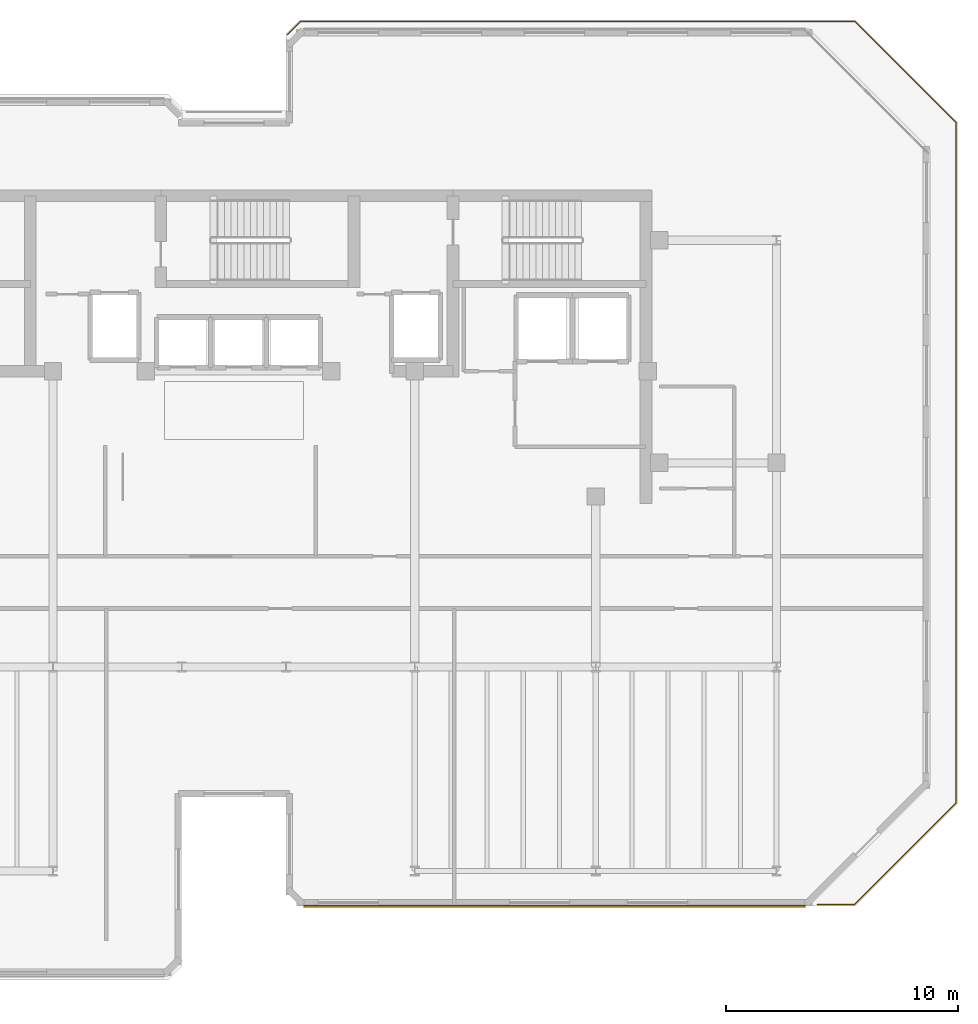
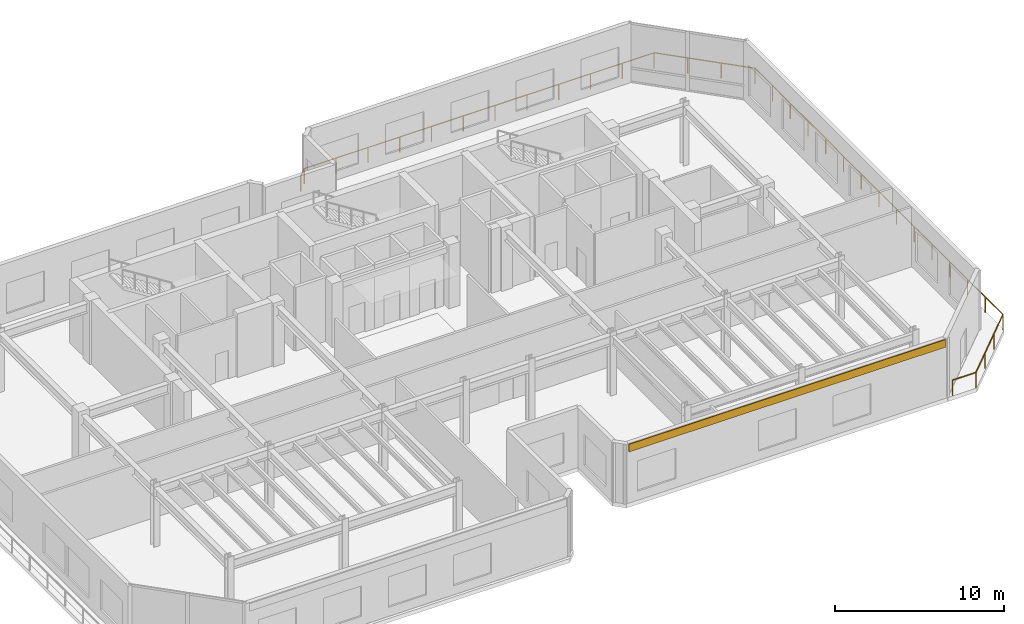
# One storey, part 12 of 14: 1 covering, 1 railing.
"""IFC4 building model written with IfcOpenShell, lengths in metres."""

from ifc_helpers import new_model, si_unit, direction, frame, origin, origin_2d, place, context, subcontext, project, spatial, rectangle, circle, extrude, material, layer, layer_set, type_object, element, save


model = new_model("IFC4")

# Units and contexts
model_context = context("Model", 3, precision=1e-05, world=origin(), true_north=direction((0.0, 1.0)))
body_context = subcontext(model_context, "Body", "Model", "MODEL_VIEW")
ifc_project = project(units=[si_unit("LENGTHUNIT", "METRE"), si_unit("AREAUNIT", "SQUARE_METRE"), si_unit("VOLUMEUNIT", "CUBIC_METRE"), si_unit("PLANEANGLEUNIT", "RADIAN"), si_unit("MASSUNIT", "GRAM", prefix="KILO")], contexts=[model_context])

# Site, building, storey
site_placement = place(None, origin())
site = spatial("IfcSite", under=ifc_project, at=site_placement, CompositionType="ELEMENT")
building_placement = place(site_placement, origin())
building = spatial("IfcBuilding", under=site, at=building_placement, Name="Kestravale Grand Hotel", CompositionType="ELEMENT")
storey_placement = place(building_placement, frame((0.0, 0.0, 297.39990234375)))
storey = spatial("IfcBuildingStorey", under=building, at=storey_placement, Name="L74", CompositionType="ELEMENT", Elevation=297.39990234375)

# Covering
ifc_material_1 = material(Name="Warm limestone-toned fluted architectural precast cladding", Category="masonry")
ifc_layer = layer(ifc_material_1, 0.074951171875)
ifc_layer_set = layer_set([ifc_layer], Name="COV-CLAD-LIM")
covering_type = type_object("IfcCoveringType", Name="COV-CLAD-LIM", PredefinedType="CLADDING", material=ifc_layer_set)
covering_placement = place(storey_placement, frame((52.824951171875, 9.68505859375, 3.73486328125), z_axis=(0.0, 0.0, 1.0), x_axis=(1.0, 0.0, 0.0)))
element("IfcCovering", 1, at=covering_placement, inside=storey, type_object=covering_type, Name="L74 fluted limestone spandrel cladding 7", PredefinedType="CLADDING", context=body_context, shape_type="SweptSolid", body=[
    extrude(rectangle(XDim=21.6298828125, YDim=0.074951171875, at=origin_2d()), origin(), (0.0, 0.0, 1.0), 0.550048828125),
])

# Railing
ifc_material_2 = material(Name="Champagne-bronze stainless steel and laminated glass guard", Category="steel")
railing_type = type_object("IfcRailingType", Name="RL-EXT-1100", PredefinedType="GUARDRAIL", material=ifc_material_2)
railing_placement = place(storey_placement, frame((41.31005859375, 47.275146484375, 0.0)))
element("IfcRailing", 2, at=railing_placement, inside=storey, type_object=railing_type, Name="L74 outdoor terrace guard 1", PredefinedType="GUARDRAIL", context=body_context, shape_type="SweptSolid", body=[
    extrude(circle(Radius=0.02392578125, at=origin_2d()), frame((0.0, 0.0, 1.09619140625), z_axis=(0.707106781187, 0.707106781187, 0.0), x_axis=(-0.707106781187, 0.707106781187, 0.0)), (0.0, 0.0, 1.0), 0.798828125),
    extrude(circle(Radius=0.02392578125, at=origin_2d()), frame((0.56494140625, 0.56494140625, 1.09619140625), z_axis=(1.0, 0.0, 0.0), x_axis=(0.0, 1.0, 0.0)), (0.0, 0.0, 1.0), 23.900146484375),
    extrude(circle(Radius=0.02392578125, at=origin_2d()), frame((24.465087890625, 0.56494140625, 1.09619140625), z_axis=(0.707087005571, -0.707126556249, 0.0), x_axis=(0.707126556249, 0.707087005571, 0.0)), (0.0, 0.0, 1.0), 6.1728515625),
    extrude(circle(Radius=0.02392578125, at=origin_2d()), frame((28.829833984375, -3.800048828125, 1.09619140625), z_axis=(0.0, -1.0, 0.0), x_axis=(1.0, 0.0, 0.0)), (0.0, 0.0, 1.0), 29.35009765625),
    extrude(circle(Radius=0.02392578125, at=origin_2d()), frame((28.829833984375, -33.150146484375, 1.09619140625), z_axis=(-0.707087005571, -0.707126556249, 0.0), x_axis=(0.707126556249, -0.707087005571, 0.0)), (0.0, 0.0, 1.0), 6.1728515625),
    extrude(circle(Radius=0.02392578125, at=origin_2d()), frame((24.465087890625, -37.51513671875, 1.09619140625), z_axis=(-1.0, 0.0, 0.0), x_axis=(0.0, -1.0, 0.0)), (0.0, 0.0, 1.0), 1.60400390625),
    extrude(circle(Radius=0.02099609375, at=origin_2d()), origin(), (0.0, 0.0, 1.0), 1.072021484375),
    extrude(circle(Radius=0.02099609375, at=origin_2d()), frame((0.56494140625, 0.56494140625, 0.0)), (0.0, 0.0, 1.0), 1.072021484375),
    extrude(circle(Radius=0.02099609375, at=origin_2d()), frame((2.73779296875, 0.56494140625, 0.0)), (0.0, 0.0, 1.0), 1.072021484375),
    extrude(circle(Radius=0.02099609375, at=origin_2d()), frame((4.910400390625, 0.56494140625, 0.0)), (0.0, 0.0, 1.0), 1.072021484375),
    extrude(circle(Radius=0.02099609375, at=origin_2d()), frame((7.083251953125, 0.56494140625, 0.0)), (0.0, 0.0, 1.0), 1.072021484375),
    extrude(circle(Radius=0.02099609375, at=origin_2d()), frame((9.255859375, 0.56494140625, 0.0)), (0.0, 0.0, 1.0), 1.072021484375),
    extrude(circle(Radius=0.02099609375, at=origin_2d()), frame((11.4287109375, 0.56494140625, 0.0)), (0.0, 0.0, 1.0), 1.072021484375),
    extrude(circle(Radius=0.02099609375, at=origin_2d()), frame((13.601318359375, 0.56494140625, 0.0)), (0.0, 0.0, 1.0), 1.072021484375),
    extrude(circle(Radius=0.02099609375, at=origin_2d()), frame((15.774169921875, 0.56494140625, 0.0)), (0.0, 0.0, 1.0), 1.072021484375),
    extrude(circle(Radius=0.02099609375, at=origin_2d()), frame((17.94677734375, 0.56494140625, 0.0)), (0.0, 0.0, 1.0), 1.072021484375),
    extrude(circle(Radius=0.02099609375, at=origin_2d()), frame((20.11962890625, 0.56494140625, 0.0)), (0.0, 0.0, 1.0), 1.072021484375),
    extrude(circle(Radius=0.02099609375, at=origin_2d()), frame((22.292236328125, 0.56494140625, 0.0)), (0.0, 0.0, 1.0), 1.072021484375),
    extrude(circle(Radius=0.02099609375, at=origin_2d()), frame((24.465087890625, 0.56494140625, 0.0)), (0.0, 0.0, 1.0), 1.072021484375),
    extrude(circle(Radius=0.02099609375, at=origin_2d()), frame((25.919921875, -0.89013671875, 0.0)), (0.0, 0.0, 1.0), 1.072021484375),
    extrude(circle(Radius=0.02099609375, at=origin_2d()), frame((27.375, -2.344970703125, 0.0)), (0.0, 0.0, 1.0), 1.072021484375),
    extrude(circle(Radius=0.02099609375, at=origin_2d()), frame((28.829833984375, -3.800048828125, 0.0)), (0.0, 0.0, 1.0), 1.072021484375),
    extrude(circle(Radius=0.02099609375, at=origin_2d()), frame((28.829833984375, -5.896484375, 0.0)), (0.0, 0.0, 1.0), 1.072021484375),
    extrude(circle(Radius=0.02099609375, at=origin_2d()), frame((28.829833984375, -7.992919921875, 0.0)), (0.0, 0.0, 1.0), 1.072021484375),
    extrude(circle(Radius=0.02099609375, at=origin_2d()), frame((28.829833984375, -10.08935546875, 0.0)), (0.0, 0.0, 1.0), 1.072021484375),
    extrude(circle(Radius=0.02099609375, at=origin_2d()), frame((28.829833984375, -12.185791015625, 0.0)), (0.0, 0.0, 1.0), 1.072021484375),
    extrude(circle(Radius=0.02099609375, at=origin_2d()), frame((28.829833984375, -14.2822265625, 0.0)), (0.0, 0.0, 1.0), 1.072021484375),
    extrude(circle(Radius=0.02099609375, at=origin_2d()), frame((28.829833984375, -16.378662109375, 0.0)), (0.0, 0.0, 1.0), 1.072021484375),
    extrude(circle(Radius=0.02099609375, at=origin_2d()), frame((28.829833984375, -18.47509765625, 0.0)), (0.0, 0.0, 1.0), 1.072021484375),
    extrude(circle(Radius=0.02099609375, at=origin_2d()), frame((28.829833984375, -20.571533203125, 0.0)), (0.0, 0.0, 1.0), 1.072021484375),
    extrude(circle(Radius=0.02099609375, at=origin_2d()), frame((28.829833984375, -22.66796875, 0.0)), (0.0, 0.0, 1.0), 1.072021484375),
    extrude(circle(Radius=0.02099609375, at=origin_2d()), frame((28.829833984375, -24.764404296875, 0.0)), (0.0, 0.0, 1.0), 1.072021484375),
    extrude(circle(Radius=0.02099609375, at=origin_2d()), frame((28.829833984375, -26.86083984375, 0.0)), (0.0, 0.0, 1.0), 1.072021484375),
    extrude(circle(Radius=0.02099609375, at=origin_2d()), frame((28.829833984375, -28.957275390625, 0.0)), (0.0, 0.0, 1.0), 1.072021484375),
    extrude(circle(Radius=0.02099609375, at=origin_2d()), frame((28.829833984375, -31.0537109375, 0.0)), (0.0, 0.0, 1.0), 1.072021484375),
    extrude(circle(Radius=0.02099609375, at=origin_2d()), frame((28.829833984375, -33.150146484375, 0.0)), (0.0, 0.0, 1.0), 1.072021484375),
    extrude(circle(Radius=0.02099609375, at=origin_2d()), frame((27.375, -34.605224609375, 0.0)), (0.0, 0.0, 1.0), 1.072021484375),
    extrude(circle(Radius=0.02099609375, at=origin_2d()), frame((25.919921875, -36.06005859375, 0.0)), (0.0, 0.0, 1.0), 1.072021484375),
    extrude(circle(Radius=0.02099609375, at=origin_2d()), frame((24.465087890625, -37.51513671875, 0.0)), (0.0, 0.0, 1.0), 1.072021484375),
    extrude(circle(Radius=0.02099609375, at=origin_2d()), frame((22.861083984375, -37.51513671875, 0.0)), (0.0, 0.0, 1.0), 1.072021484375),
])

save(model, "model.ifc")
